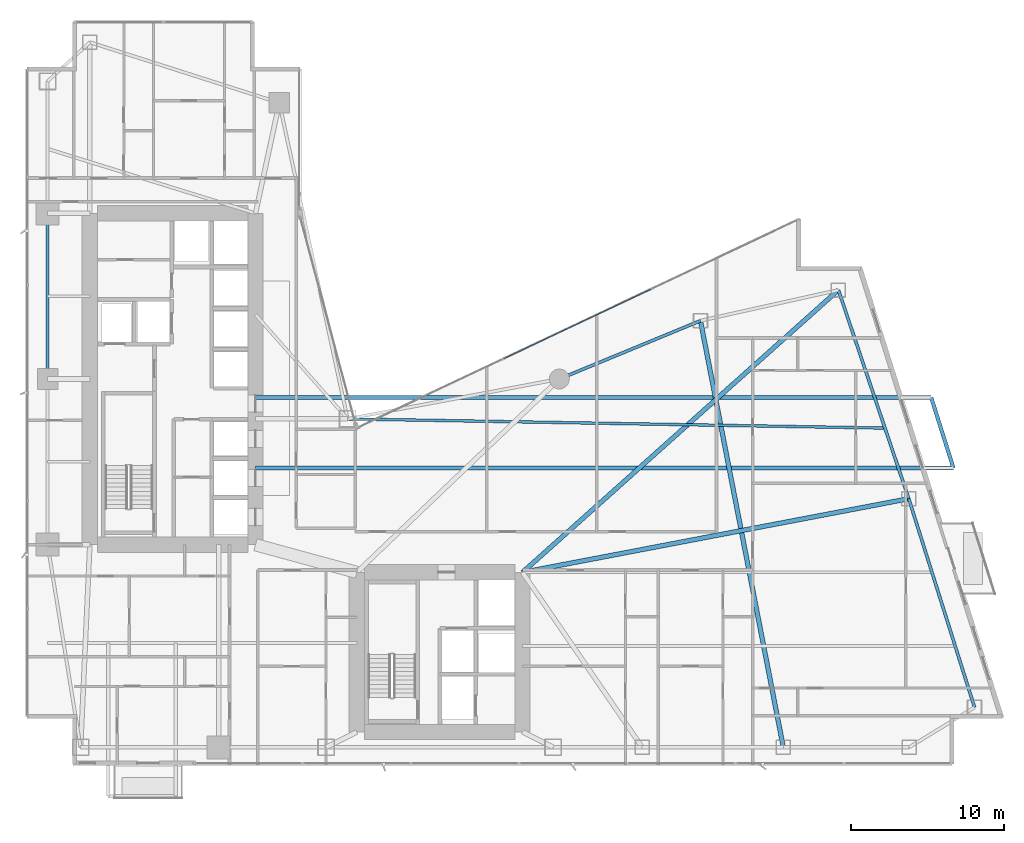
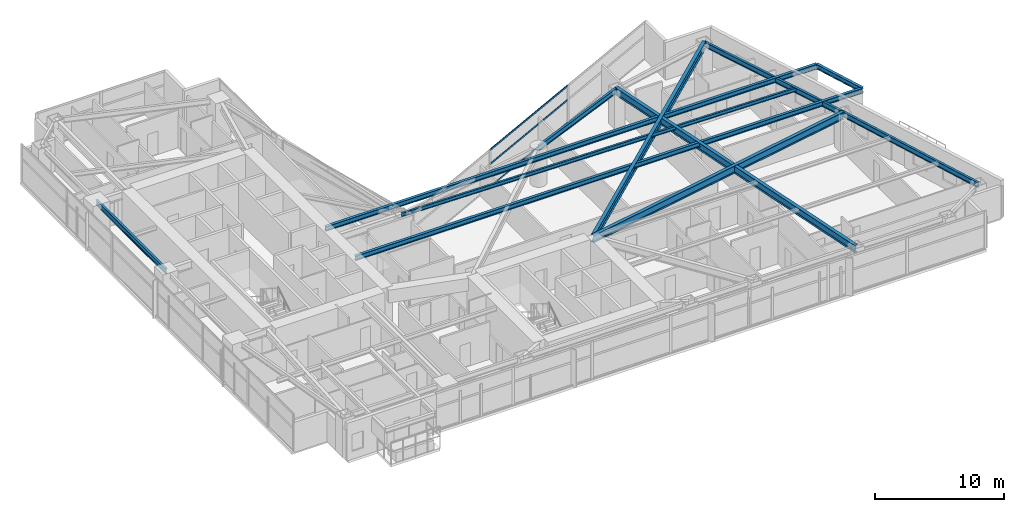
# One storey, part 15 of 29: 11 beams, 3 members, 1 element without a shape of its own.
"""IFC4 building model written with IfcOpenShell, lengths in metres."""

from ifc_helpers import new_model, si_unit, direction, frame, origin, origin_2d, place, context, subcontext, project, spatial, hollow_rectangle, i_section, extrude, material, layer, layer_set, material_profile, profile_set, type_object, element, aggregate, save


model = new_model("IFC4")

# Units and contexts
model_context = context("Model", 3, precision=1e-05, world=origin(), true_north=direction((0.0, 1.0)))
body_context = subcontext(model_context, "Body", "Model", "MODEL_VIEW")
ifc_project = project(units=[si_unit("LENGTHUNIT", "METRE"), si_unit("AREAUNIT", "SQUARE_METRE"), si_unit("VOLUMEUNIT", "CUBIC_METRE"), si_unit("PLANEANGLEUNIT", "RADIAN"), si_unit("MASSUNIT", "GRAM", prefix="KILO")], contexts=[model_context])

# Site, building, storey
site_placement = place(None, origin())
site = spatial("IfcSite", under=ifc_project, at=site_placement, CompositionType="ELEMENT")
building_placement = place(site_placement, origin())
building = spatial("IfcBuilding", under=site, at=building_placement, Name="Calvorn Quay Hotel", CompositionType="ELEMENT")
storey_placement = place(building_placement, frame((0.0, 0.0, 38.39990234375)))
storey = spatial("IfcBuildingStorey", under=building, at=storey_placement, Name="L08", CompositionType="ELEMENT", Elevation=38.39990234375)

# Beams
ifc_material_1 = material(Name="Steel Q355B", Category="steel")
ifc_material_profile_1 = material_profile(ifc_material_1, i_section(OverallWidth=0.25, OverallDepth=0.449951171875, WebThickness=0.011962890625, FlangeThickness=0.01611328125, FilletRadius=0.01611328125, at=origin_2d()), Name="HN450x250x12x16")
ifc_profile_set_1 = profile_set([ifc_material_profile_1], Name="Steel Q355B")
beam_type_1 = type_object("IfcBeamType", Name="BM-CANT-BALC", PredefinedType="BEAM", material=ifc_profile_set_1)
beam_1_placement = place(storey_placement, frame((15.0, 21.800048828125, 3.315185546875), z_axis=(1.0, 0.0, 0.0), x_axis=(0.0, 1.0, 0.0)))
element("IfcBeam", 1, at=beam_1_placement, inside=storey, type_object=beam_type_1, Name="Cantilever Balcony Beam BCB-L09-1A", PredefinedType="BEAM", context=body_context, shape_type="SweptSolid", body=[
    extrude(i_section(OverallWidth=0.25, OverallDepth=0.449951171875, WebThickness=0.011962890625, FlangeThickness=0.01611328125, FilletRadius=0.01611328125, at=origin_2d()), origin(), (0.0, 0.0, 1.0), 45.486083984375),
])
beam_2_placement = place(storey_placement, frame((15.0, 26.39990234375, 3.315185546875), z_axis=(1.0, 0.0, 0.0), x_axis=(0.0, 1.0, 0.0)))
element("IfcBeam", 2, at=beam_2_placement, inside=storey, type_object=beam_type_1, Name="Cantilever Balcony Beam BCB-L09-1B", PredefinedType="BEAM", context=body_context, shape_type="SweptSolid", body=[
    extrude(i_section(OverallWidth=0.25, OverallDepth=0.449951171875, WebThickness=0.011962890625, FlangeThickness=0.01611328125, FilletRadius=0.01611328125, at=origin_2d()), origin(), (0.0, 0.0, 1.0), 44.037109375),
])
beam_3_placement = place(storey_placement, frame((60.486083984375, 21.800048828125, 3.315185546875), z_axis=(-0.300450487966, 0.953797412599, 0.0), x_axis=(-0.953797412599, -0.300450487966, 0.0)))
element("IfcBeam", 3, at=beam_3_placement, inside=storey, type_object=beam_type_1, Name="Beam BCBO-L09-1", PredefinedType="BEAM", context=body_context, shape_type="SweptSolid", body=[
    extrude(i_section(OverallWidth=0.25, OverallDepth=0.449951171875, WebThickness=0.011962890625, FlangeThickness=0.01611328125, FilletRadius=0.01611328125, at=origin_2d()), origin(), (0.0, 0.0, 1.0), 4.82275390625),
])
ifc_material_2 = material(Name="Steel Q390GJC", Category="steel")
ifc_material_profile_2 = material_profile(ifc_material_2, i_section(OverallWidth=0.300048828125, OverallDepth=0.699951171875, WebThickness=0.012939453125, FlangeThickness=0.02392578125, FilletRadius=0.02392578125, at=origin_2d()), Name="HN700x300x13x24")
ifc_profile_set_2 = profile_set([ifc_material_profile_2], Name="Steel Q390GJC")
beam_type_2 = type_object("IfcBeamType", Name="BM-GIRD-MAIN", PredefinedType="BEAM", material=ifc_profile_set_2)
beam_4_placement = place(storey_placement, frame((32.39990234375, 15.0, 3.190185546875), z_axis=(0.982305450614, 0.18728588226, 0.0), x_axis=(-0.18728588226, 0.982305450614, 0.0)))
element("IfcBeam", 4, at=beam_4_placement, inside=storey, type_object=beam_type_2, Name="Beam BG-L08-E2", PredefinedType="BEAM", context=body_context, shape_type="SweptSolid", body=[
    extrude(i_section(OverallWidth=0.300048828125, OverallDepth=0.699951171875, WebThickness=0.012939453125, FlangeThickness=0.02392578125, FilletRadius=0.02392578125, at=origin_2d()), origin(), (0.0, 0.0, 1.0), 25.629638671875),
])
beam_5_placement = place(storey_placement, frame((32.39990234375, 15.0, 3.190185546875), z_axis=(0.745667316004, 0.666318432766, 0.0), x_axis=(-0.666318432766, 0.745667316004, 0.0)))
element("IfcBeam", 5, at=beam_5_placement, inside=storey, type_object=beam_type_2, Name="Beam BG-L08-E3", PredefinedType="BEAM", context=body_context, shape_type="SweptSolid", body=[
    extrude(i_section(OverallWidth=0.300048828125, OverallDepth=0.699951171875, WebThickness=0.012939453125, FlangeThickness=0.02392578125, FilletRadius=0.02392578125, at=origin_2d()), origin(), (0.0, 0.0, 1.0), 27.6142578125),
])
beam_6_placement = place(storey_placement, frame((49.39990234375, 3.60009765625, 3.190185546875), z_axis=(-0.190678596862, 0.981652521363, 0.0), x_axis=(-0.981652521363, -0.190678596862, 0.0)))
element("IfcBeam", 6, at=beam_6_placement, inside=storey, type_object=beam_type_2, Name="Beam BG-L08-E5", PredefinedType="BEAM", context=body_context, shape_type="SweptSolid", body=[
    extrude(i_section(OverallWidth=0.300048828125, OverallDepth=0.699951171875, WebThickness=0.012939453125, FlangeThickness=0.02392578125, FilletRadius=0.02392578125, at=origin_2d()), origin(), (0.0, 0.0, 1.0), 28.3193359375),
])
ifc_material_3 = material(Name="Steel Q355B", Category="steel")
ifc_material_profile_3 = material_profile(ifc_material_3, i_section(OverallWidth=0.175048828125, OverallDepth=0.35009765625, WebThickness=0.007080078125, FlangeThickness=0.010986328125, FilletRadius=0.013916015625, at=origin_2d()), Name="HN350x175x7x11")
ifc_profile_set_3 = profile_set([ifc_material_profile_3], Name="Steel Q355B")
beam_type_3 = type_object("IfcBeamType", Name="BM-JOIST-SEC", PredefinedType="JOIST", material=ifc_profile_set_3)
beam_7_placement = place(storey_placement, frame((21.0, 25.0, 3.364990234375), z_axis=(0.999854105858, -0.017081188436, 0.0), x_axis=(0.017081188436, 0.999854105858, 0.0)))
element("IfcBeam", 7, at=beam_7_placement, inside=storey, type_object=beam_type_3, Name="Beam BJ-L08-E3", PredefinedType="JOIST", context=body_context, shape_type="SweptSolid", body=[
    extrude(i_section(OverallWidth=0.175048828125, OverallDepth=0.35009765625, WebThickness=0.007080078125, FlangeThickness=0.010986328125, FilletRadius=0.013916015625, at=origin_2d()), origin(), (0.0, 0.0, 1.0), 35.132080078125),
])
ifc_material_4 = material(Name="Steel Q355B", Category="steel")
ifc_material_profile_4 = material_profile(ifc_material_4, i_section(OverallWidth=0.199951171875, OverallDepth=0.5, WebThickness=0.010009765625, FlangeThickness=0.01611328125, FilletRadius=0.01611328125, at=origin_2d()), Name="HN500x200x10x16")
ifc_profile_set_4 = profile_set([ifc_material_profile_4], Name="Steel Q355B")
beam_type_4 = type_object("IfcBeamType", Name="BM-SPANDREL-Z1", PredefinedType="SPANDREL", material=ifc_profile_set_4)
beam_8_placement = place(storey_placement, frame((1.449951171875, 27.60009765625, 3.2900390625), z_axis=(0.0, 1.0, 0.0), x_axis=(-1.0, 0.0, 0.0)))
element("IfcBeam", 8, at=beam_8_placement, inside=storey, type_object=beam_type_4, Name="Beam BSP-L08-W3", PredefinedType="SPANDREL", context=body_context, shape_type="SweptSolid", body=[
    extrude(i_section(OverallWidth=0.199951171875, OverallDepth=0.5, WebThickness=0.010009765625, FlangeThickness=0.01611328125, FilletRadius=0.01611328125, at=origin_2d()), origin(), (0.0, 0.0, 1.0), 10.7998046875),
])
beam_9_placement = place(storey_placement, frame((61.861083984375, 6.199951171875, 3.2900390625), z_axis=(-0.300518378216, 0.953776024208, 0.0), x_axis=(-0.953776024208, -0.300518378216, 0.0)))
element("IfcBeam", 9, at=beam_9_placement, inside=storey, type_object=beam_type_4, Name="Beam BSP-L08-E1", PredefinedType="SPANDREL", context=body_context, shape_type="SweptSolid", body=[
    extrude(i_section(OverallWidth=0.199951171875, OverallDepth=0.5, WebThickness=0.010009765625, FlangeThickness=0.01611328125, FilletRadius=0.01611328125, at=origin_2d()), origin(), (0.0, 0.0, 1.0), 14.25927734375),
])
beam_10_placement = place(storey_placement, frame((57.575927734375, 19.800048828125, 3.2900390625), z_axis=(-0.319466515944, 0.947597564998, 0.0), x_axis=(-0.947597564998, -0.319466515944, 0.0)))
element("IfcBeam", 10, at=beam_10_placement, inside=storey, type_object=beam_type_4, Name="Beam BSP-L08-E2", PredefinedType="SPANDREL", context=body_context, shape_type="SweptSolid", body=[
    extrude(i_section(OverallWidth=0.199951171875, OverallDepth=0.5, WebThickness=0.010009765625, FlangeThickness=0.01611328125, FilletRadius=0.01611328125, at=origin_2d()), origin(), (0.0, 0.0, 1.0), 14.35205078125),
])
beam_11_placement = place(storey_placement, frame((44.0, 31.39990234375, 3.2900390625), z_axis=(-0.92426763497, -0.381745123017, 0.0), x_axis=(0.381745123017, -0.92426763497, 0.0)))
element("IfcBeam", 11, at=beam_11_placement, inside=storey, type_object=beam_type_4, Name="Beam BSP-L08-E4", PredefinedType="SPANDREL", context=body_context, shape_type="SweptSolid", body=[
    extrude(i_section(OverallWidth=0.199951171875, OverallDepth=0.5, WebThickness=0.010009765625, FlangeThickness=0.01611328125, FilletRadius=0.01611328125, at=origin_2d()), origin(), (0.0, 0.0, 1.0), 9.953857421875),
])

# Curtain wall, members
ifc_material_5 = material(Name="Pale Anodised Aluminium and Low-E Glass", Category="aluminium")
ifc_layer = layer(ifc_material_5, 0.219970703125)
ifc_layer_set = layer_set([ifc_layer], Name="CW-SYS-Z1")
curtain_wall_type = type_object("IfcCurtainWallType", Name="CW-SYS-Z1", PredefinedType="NOTDEFINED", material=ifc_layer_set)
curtain_wall_placement = place(storey_placement, origin())
curtain_wall = element("IfcCurtainWall", 12, at=curtain_wall_placement, inside=storey, type_object=curtain_wall_type, Name="Inner Court Curtain Wall L08-NE1", PredefinedType="NOTDEFINED")
ifc_material_6 = material(Name="Pale Anodised Aluminium 6063-T6", Category="aluminium")
ifc_material_profile_5 = material_profile(ifc_material_6, hollow_rectangle(XDim=0.06494140625, YDim=0.1650390625, WallThickness=0.00341796875, at=origin_2d()), Name="ALU-T165x65x3.5")
ifc_profile_set_5 = profile_set([ifc_material_profile_5], Name="Pale Anodised Aluminium 6063-T6")
member_type = type_object("IfcMemberType", Name="CW-SYS-Z1-TRN", PredefinedType="USERDEFINED", material=ifc_profile_set_5)
member_1_placement = place(storey_placement, frame((40.77294921875, 33.453857421875, 0.030029296875), z_axis=(-0.904247654564, -0.427008406493, 0.0), x_axis=(0.427008406493, -0.904247654564, 0.0)))
member_1 = element("IfcMember", 13, at=member_1_placement, type_object=member_type, Name="CW-L08-NE1 transom 2.1", ObjectType="TRANSOM", PredefinedType="USERDEFINED", context=body_context, shape_type="SweptSolid", body=[
    extrude(hollow_rectangle(XDim=0.06494140625, YDim=0.1650390625, WallThickness=0.00341796875, at=origin_2d()), origin(), (0.0, 0.0, 1.0), 10.556640625),
])
member_2_placement = place(storey_placement, frame((40.77294921875, 33.453857421875, 2.2001953125), z_axis=(-0.904247654564, -0.427008406493, 0.0), x_axis=(0.427008406493, -0.904247654564, 0.0)))
member_2 = element("IfcMember", 14, at=member_2_placement, type_object=member_type, Name="CW-L08-NE1 transom 2.2", ObjectType="TRANSOM", PredefinedType="USERDEFINED", context=body_context, shape_type="SweptSolid", body=[
    extrude(hollow_rectangle(XDim=0.06494140625, YDim=0.1650390625, WallThickness=0.00341796875, at=origin_2d()), origin(), (0.0, 0.0, 1.0), 10.556640625),
])
member_3_placement = place(storey_placement, frame((40.77294921875, 33.453857421875, 3.530029296875), z_axis=(-0.904247654564, -0.427008406493, 0.0), x_axis=(0.427008406493, -0.904247654564, 0.0)))
member_3 = element("IfcMember", 15, at=member_3_placement, type_object=member_type, Name="CW-L08-NE1 transom 2.3", ObjectType="TRANSOM", PredefinedType="USERDEFINED", context=body_context, shape_type="SweptSolid", body=[
    extrude(hollow_rectangle(XDim=0.06494140625, YDim=0.1650390625, WallThickness=0.00341796875, at=origin_2d()), origin(), (0.0, 0.0, 1.0), 10.556640625),
])
aggregate(curtain_wall, [member_1, member_2, member_3])

save(model, "model.ifc")
